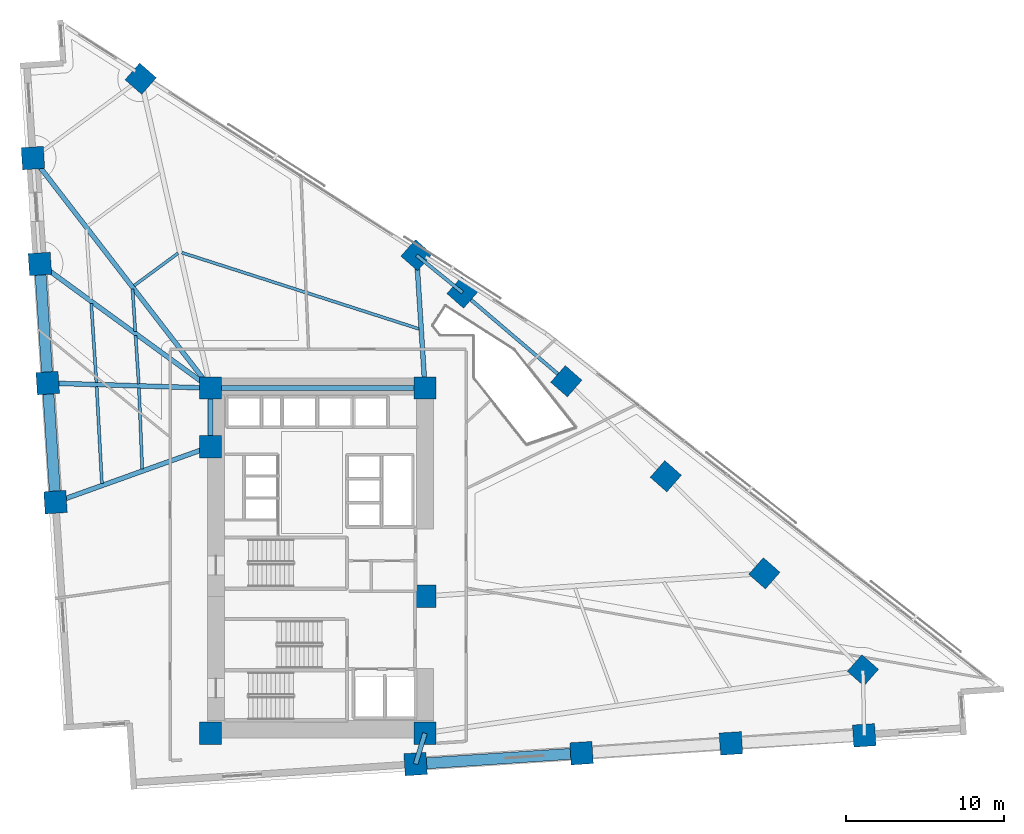
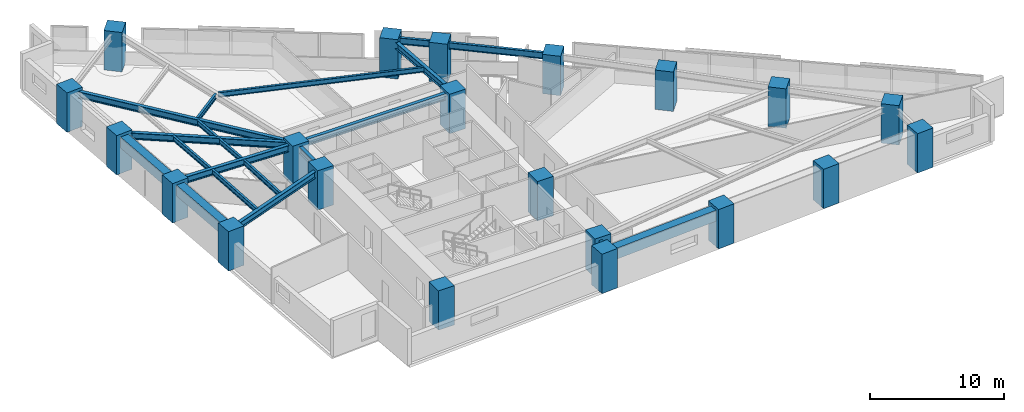
# One storey, part 1 of 15: 21 columns, 20 beams.
"""IFC4 building model written with IfcOpenShell, lengths in metres."""

from ifc_helpers import new_model, si_unit, direction, frame, origin, origin_2d, place, context, subcontext, project, spatial, rectangle, i_section, extrude, material, material_profile, profile_set, type_object, element, save


model = new_model("IFC4")

# Units and contexts
model_context = context("Model", 3, precision=1e-05, world=origin(), true_north=direction((0.0, 1.0)))
body_context = subcontext(model_context, "Body", "Model", "MODEL_VIEW")
ifc_project = project(units=[si_unit("LENGTHUNIT", "METRE"), si_unit("AREAUNIT", "SQUARE_METRE"), si_unit("VOLUMEUNIT", "CUBIC_METRE"), si_unit("PLANEANGLEUNIT", "RADIAN"), si_unit("MASSUNIT", "GRAM", prefix="KILO")], contexts=[model_context])

# Site, building, storey
site_placement = place(None, origin())
site = spatial("IfcSite", under=ifc_project, at=site_placement, CompositionType="ELEMENT")
building_placement = place(site_placement, origin())
building = spatial("IfcBuilding", under=site, at=building_placement, Name="Narakoshi Arena Tower", CompositionType="ELEMENT")
storey_placement = place(building_placement, frame((0.0, 0.0, 74.10009765625)))
storey = spatial("IfcBuildingStorey", under=building, at=storey_placement, Name="L19", CompositionType="ELEMENT", Elevation=74.10009765625)

# Columns
ifc_material_1 = material(Name="Concrete C60/75", Category="concrete")
ifc_material_profile_1 = material_profile(ifc_material_1, rectangle(XDim=1.39990234375, YDim=1.39990234375, at=origin_2d()), Name="RC1400x1400")
ifc_profile_set_1 = profile_set([ifc_material_profile_1], Name="Concrete C60/75")
column_type = type_object("IfcColumnType", Name="COL-RC1400", PredefinedType="COLUMN", material=ifc_profile_set_1)
for number, where, z_axis, x_axis, name in (
    (1, (72.0, 34.699951171875, 0.0), (0.0, 0.0, 1.0), (1.0, 0.0, 0.0), "L19 Core Structural Column CC1"),
    (2, (85.550048828125, 34.699951171875, 0.0), (0.0, 0.0, 1.0), (1.0, 0.0, 0.0), "L19 Core Structural Column CC2"),
    (3, (85.550048828125, 43.35009765625, 0.0), (0.0, 0.0, 1.0), (1.0, 0.0, 0.0), "L19 Core Structural Column CC3"),
    (4, (72.0, 52.800048828125, 0.0), (0.0, 0.0, 1.0), (1.0, 0.0, 0.0), "L19 Core Structural Column CC4"),
    (5, (72.0, 56.5, 0.0), (0.0, 0.0, 1.0), (1.0, 0.0, 0.0), "L19 Core Structural Column CC5"),
    (6, (85.550048828125, 56.5, 0.0), (0.0, 0.0, 1.0), (1.0, 0.0, 0.0), "L19 Core Structural Column CC6"),
    (7, (84.95703125, 32.7509765625, 0.0), (0.0, 0.0, 1.0), (0.997858923239, 0.06540312923, 0.0), "L19 Tower Perimeter Column TC01"),
    (8, (95.44189453125, 33.43798828125, 0.0), (0.0, 0.0, 1.0), (0.997858923239, 0.06540312923, 0.0), "L19 Tower Perimeter Column TC02"),
    (9, (104.8779296875, 34.056640625, 0.0), (0.0, 0.0, 1.0), (0.997858923239, 0.06540312923, 0.0), "L19 Tower Perimeter Column TC03"),
    (10, (113.299560546875, 34.5634765625, 0.0), (0.0, 0.0, 1.0), (0.997858923239, 0.06540312923, 0.0), "L19 Tower Perimeter Column TC04"),
    (11, (113.21630859375, 38.669189453125, 0.0), (0.0, 0.0, 1.0), (0.6593458151, 0.751839807479, 0.0), "L19 Tower Perimeter Column TC05"),
    (12, (106.989990234375, 44.800537109375, 0.0), (0.0, 0.0, 1.0), (0.6593458151, 0.751839807479, 0.0), "L19 Tower Perimeter Column TC06"),
    (13, (100.76318359375, 50.931640625, 0.0), (0.0, 0.0, 1.0), (0.6593458151, 0.751839807479, 0.0), "L19 Tower Perimeter Column TC07"),
    (14, (94.47900390625, 56.934814453125, 0.0), (0.0, 0.0, 1.0), (0.6593458151, 0.751839807479, 0.0), "L19 Tower Perimeter Column TC08"),
    (15, (87.922607421875, 62.534423828125, 0.0), (0.0, 0.0, 1.0), (0.6593458151, 0.751839807479, 0.0), "L19 Tower Perimeter Column TC09"),
    (16, (85.0146484375, 64.89794921875, 0.0), (0.0, 0.0, 1.0), (0.6593458151, 0.751839807479, 0.0), "L19 Tower Perimeter Column TC10"),
    (17, (67.58984375, 76.04345703125, 0.0), (0.0, 0.0, 1.0), (0.6593458151, 0.751839807479, 0.0), "L19 Tower Perimeter Column TC11"),
    (18, (60.785400390625, 71.031005859375, 0.0), (0.0, 0.0, 1.0), (-0.06540312923, 0.997858923239, 0.0), "L19 Tower Perimeter Column TC13"),
    (19, (61.223876953125, 64.343017578125, 0.0), (0.0, 0.0, 1.0), (-0.06540312923, 0.997858923239, 0.0), "L19 Tower Perimeter Column TC14"),
    (20, (61.716796875, 56.819091796875, 0.0), (0.0, 0.0, 1.0), (-0.06540312923, 0.997858923239, 0.0), "L19 Tower Perimeter Column TC15"),
    (21, (62.210205078125, 49.294921875, 0.0), (0.0, 0.0, 1.0), (-0.06540312923, 0.997858923239, 0.0), "L19 Tower Perimeter Column TC16"),
):
    element("IfcColumn", number, at=place(storey_placement, frame(where, z_axis=z_axis, x_axis=x_axis)), inside=storey, type_object=column_type, Name=name, PredefinedType="COLUMN", context=body_context, shape_type="SweptSolid", body=[
        extrude(rectangle(XDim=1.39990234375, YDim=1.39990234375, at=origin_2d()), origin(), (0.0, 0.0, 1.0), 3.599853515625),
    ])

# Beams
ifc_material_profile_2 = material_profile(ifc_material_1, rectangle(XDim=0.699951171875, YDim=1.0, at=origin_2d()), Name="RCB700x1000")
ifc_profile_set_2 = profile_set([ifc_material_profile_2], Name="Concrete C60/75")
beam_type_1 = type_object("IfcBeamType", Name="BM-CPL-1000", PredefinedType="BEAM", material=ifc_profile_set_2)
beam_1_placement = place(storey_placement, frame((84.95703125, 32.7509765625, 2.83984375), z_axis=(0.997860180992, 0.065383936788, 0.0), x_axis=(-0.065383936788, 0.997860180992, 0.0)))
element("IfcBeam", 22, at=beam_1_placement, inside=storey, type_object=beam_type_1, Name="L19 Perimeter Edge Girder 01", PredefinedType="BEAM", context=body_context, shape_type="SweptSolid", body=[
    extrude(rectangle(XDim=0.699951171875, YDim=1.0, at=origin_2d()), origin(), (0.0, 0.0, 1.0), 10.50732421875),
])
beam_2_placement = place(storey_placement, frame((61.223876953125, 64.343017578125, 2.83984375), z_axis=(0.065373518191, -0.997860863607, 0.0), x_axis=(0.997860863607, 0.065373518191, 0.0)))
element("IfcBeam", 23, at=beam_2_placement, inside=storey, type_object=beam_type_1, Name="L19 Perimeter Edge Girder 13", PredefinedType="BEAM", context=body_context, shape_type="SweptSolid", body=[
    extrude(rectangle(XDim=0.699951171875, YDim=1.0, at=origin_2d()), origin(), (0.0, 0.0, 1.0), 7.5400390625),
])
beam_3_placement = place(storey_placement, frame((61.716796875, 56.819091796875, 2.83984375), z_axis=(0.06543588513, -0.997856775764, 0.0), x_axis=(0.997856775764, 0.06543588513, 0.0)))
element("IfcBeam", 24, at=beam_3_placement, inside=storey, type_object=beam_type_1, Name="L19 Perimeter Edge Girder 14", PredefinedType="BEAM", context=body_context, shape_type="SweptSolid", body=[
    extrude(rectangle(XDim=0.699951171875, YDim=1.0, at=origin_2d()), origin(), (0.0, 0.0, 1.0), 7.540283203125),
])
ifc_material_2 = material(Name="Structural steel S355J2", Category="steel")
ifc_material_profile_3 = material_profile(ifc_material_2, i_section(OverallWidth=0.219970703125, OverallDepth=0.60009765625, WebThickness=0.011962890625, FlangeThickness=0.01904296875, FilletRadius=0.02392578125, at=origin_2d()), Name="IPE600")
ifc_profile_set_3 = profile_set([ifc_material_profile_3], Name="Structural steel S355J2")
beam_type_2 = type_object("IfcBeamType", Name="BM-EDGE-600", PredefinedType="BEAM", material=ifc_profile_set_3)
beam_4_placement = place(storey_placement, frame((94.47900390625, 56.934814453125, 3.039794921875), z_axis=(-0.760410675305, 0.649442533934, 0.0), x_axis=(-0.649442533934, -0.760410675305, 0.0)))
element("IfcBeam", 25, at=beam_4_placement, inside=storey, type_object=beam_type_2, Name="L19 Perimeter Edge Girder 08", PredefinedType="BEAM", context=body_context, shape_type="SweptSolid", body=[
    extrude(i_section(OverallWidth=0.219970703125, OverallDepth=0.60009765625, WebThickness=0.011962890625, FlangeThickness=0.01904296875, FilletRadius=0.02392578125, at=origin_2d()), origin(), (0.0, 0.0, 1.0), 8.6220703125),
])
beam_5_placement = place(storey_placement, frame((87.922607421875, 62.534423828125, 3.039794921875), z_axis=(-0.776008368668, 0.630722610786, 0.0), x_axis=(-0.630722610786, -0.776008368668, 0.0)))
element("IfcBeam", 26, at=beam_5_placement, inside=storey, type_object=beam_type_2, Name="L19 Perimeter Edge Girder 09", PredefinedType="BEAM", context=body_context, shape_type="SweptSolid", body=[
    extrude(i_section(OverallWidth=0.219970703125, OverallDepth=0.60009765625, WebThickness=0.011962890625, FlangeThickness=0.01904296875, FilletRadius=0.02392578125, at=origin_2d()), origin(), (0.0, 0.0, 1.0), 3.747314453125),
])
ifc_material_profile_4 = material_profile(ifc_material_2, i_section(OverallWidth=0.300048828125, OverallDepth=0.60009765625, WebThickness=0.015380859375, FlangeThickness=0.030029296875, FilletRadius=0.027099609375, at=origin_2d()), Name="HE600B")
ifc_profile_set_4 = profile_set([ifc_material_profile_4], Name="Structural steel S355J2")
beam_type_3 = type_object("IfcBeamType", Name="BM-PRI-600", PredefinedType="BEAM", material=ifc_profile_set_4)
beam_6_placement = place(storey_placement, frame((85.550048828125, 34.699951171875, 3.039794921875), z_axis=(-0.291094852197, -0.956694197236, 0.0), x_axis=(0.956694197236, -0.291094852197, 0.0)))
element("IfcBeam", 27, at=beam_6_placement, inside=storey, type_object=beam_type_3, Name="L19 Radial Primary Floor Girder 01", PredefinedType="BEAM", context=body_context, shape_type="SweptSolid", body=[
    extrude(i_section(OverallWidth=0.300048828125, OverallDepth=0.60009765625, WebThickness=0.015380859375, FlangeThickness=0.030029296875, FilletRadius=0.027099609375, at=origin_2d()), origin(), (0.0, 0.0, 1.0), 2.037109375),
])
beam_7_placement = place(storey_placement, frame((85.550048828125, 56.5, 3.039794921875), z_axis=(-0.063624535653, 0.997973906704, 0.0), x_axis=(-0.997973906704, -0.063624535653, 0.0)))
element("IfcBeam", 28, at=beam_7_placement, inside=storey, type_object=beam_type_3, Name="L19 Radial Primary Floor Girder 10", PredefinedType="BEAM", context=body_context, shape_type="SweptSolid", body=[
    extrude(i_section(OverallWidth=0.300048828125, OverallDepth=0.60009765625, WebThickness=0.015380859375, FlangeThickness=0.030029296875, FilletRadius=0.027099609375, at=origin_2d()), origin(), (0.0, 0.0, 1.0), 8.4150390625),
])
beam_8_placement = place(storey_placement, frame((72.0, 56.5, 3.039794921875), z_axis=(-0.610973069948, 0.791651380216, 0.0), x_axis=(-0.791651380216, -0.610973069948, 0.0)))
element("IfcBeam", 29, at=beam_8_placement, inside=storey, type_object=beam_type_3, Name="L19 Radial Primary Floor Girder 12", PredefinedType="BEAM", context=body_context, shape_type="SweptSolid", body=[
    extrude(i_section(OverallWidth=0.300048828125, OverallDepth=0.60009765625, WebThickness=0.015380859375, FlangeThickness=0.030029296875, FilletRadius=0.027099609375, at=origin_2d()), origin(), (0.0, 0.0, 1.0), 18.355224609375),
])
beam_9_placement = place(storey_placement, frame((72.0, 56.5, 3.039794921875), z_axis=(-0.808527706159, 0.588458110976, 0.0), x_axis=(-0.588458110976, -0.808527706159, 0.0)))
element("IfcBeam", 30, at=beam_9_placement, inside=storey, type_object=beam_type_3, Name="L19 Radial Primary Floor Girder 13", PredefinedType="BEAM", context=body_context, shape_type="SweptSolid", body=[
    extrude(i_section(OverallWidth=0.300048828125, OverallDepth=0.60009765625, WebThickness=0.015380859375, FlangeThickness=0.030029296875, FilletRadius=0.027099609375, at=origin_2d()), origin(), (0.0, 0.0, 1.0), 13.328125),
])
beam_10_placement = place(storey_placement, frame((72.0, 56.5, 3.039794921875), z_axis=(-0.99951890487, 0.031015460795, 0.0), x_axis=(-0.031015460795, -0.99951890487, 0.0)))
element("IfcBeam", 31, at=beam_10_placement, inside=storey, type_object=beam_type_3, Name="L19 Radial Primary Floor Girder 14", PredefinedType="BEAM", context=body_context, shape_type="SweptSolid", body=[
    extrude(i_section(OverallWidth=0.300048828125, OverallDepth=0.60009765625, WebThickness=0.015380859375, FlangeThickness=0.030029296875, FilletRadius=0.027099609375, at=origin_2d()), origin(), (0.0, 0.0, 1.0), 10.2880859375),
])
beam_11_placement = place(storey_placement, frame((72.0, 52.800048828125, 3.039794921875), z_axis=(-0.941474424124, -0.33708442373, 0.0), x_axis=(0.33708442373, -0.941474424124, 0.0)))
element("IfcBeam", 32, at=beam_11_placement, inside=storey, type_object=beam_type_3, Name="L19 Radial Primary Floor Girder 15", PredefinedType="BEAM", context=body_context, shape_type="SweptSolid", body=[
    extrude(i_section(OverallWidth=0.300048828125, OverallDepth=0.60009765625, WebThickness=0.015380859375, FlangeThickness=0.030029296875, FilletRadius=0.027099609375, at=origin_2d()), origin(), (0.0, 0.0, 1.0), 10.3984375),
])
beam_12_placement = place(storey_placement, frame((72.0, 52.800048828125, 3.039794921875), z_axis=(0.0, 1.0, 0.0), x_axis=(-1.0, 0.0, 0.0)))
element("IfcBeam", 33, at=beam_12_placement, inside=storey, type_object=beam_type_3, Name="L19 Core Perimeter Frame Beam CC4-CC5", PredefinedType="BEAM", context=body_context, shape_type="SweptSolid", body=[
    extrude(i_section(OverallWidth=0.300048828125, OverallDepth=0.60009765625, WebThickness=0.015380859375, FlangeThickness=0.030029296875, FilletRadius=0.027099609375, at=origin_2d()), origin(), (0.0, 0.0, 1.0), 3.699951171875),
])
beam_13_placement = place(storey_placement, frame((72.0, 56.5, 3.039794921875), z_axis=(1.0, 0.0, 0.0), x_axis=(0.0, 1.0, 0.0)))
element("IfcBeam", 34, at=beam_13_placement, inside=storey, type_object=beam_type_3, Name="L19 Core Perimeter Frame Beam CC5-CC6", PredefinedType="BEAM", context=body_context, shape_type="SweptSolid", body=[
    extrude(i_section(OverallWidth=0.300048828125, OverallDepth=0.60009765625, WebThickness=0.015380859375, FlangeThickness=0.030029296875, FilletRadius=0.027099609375, at=origin_2d()), origin(), (0.0, 0.0, 1.0), 13.550048828125),
])
ifc_material_profile_5 = material_profile(ifc_material_2, i_section(OverallWidth=0.18994140625, OverallDepth=0.449951171875, WebThickness=0.009521484375, FlangeThickness=0.0146484375, FilletRadius=0.02099609375, at=origin_2d()), Name="IPE450")
ifc_profile_set_5 = profile_set([ifc_material_profile_5], Name="Structural steel S355J2")
beam_type_4 = type_object("IfcBeamType", Name="BM-SEC-450", PredefinedType="JOIST", material=ifc_profile_set_5)
beam_14_placement = place(storey_placement, frame((85.185791015625, 60.236328125, 3.114990234375), z_axis=(-0.952013564506, 0.306055833137, 0.0), x_axis=(-0.306055833137, -0.952013564506, 0.0)))
element("IfcBeam", 35, at=beam_14_placement, inside=storey, type_object=beam_type_4, Name="L19 Composite Secondary Floor Joist 03", PredefinedType="JOIST", context=body_context, shape_type="SweptSolid", body=[
    extrude(i_section(OverallWidth=0.18994140625, OverallDepth=0.449951171875, WebThickness=0.009521484375, FlangeThickness=0.0146484375, FilletRadius=0.02099609375, at=origin_2d()), origin(), (0.0, 0.0, 1.0), 15.753662109375),
])
beam_15_placement = place(storey_placement, frame((69.950927734375, 65.01904296875, 3.114990234375), z_axis=(-0.805127005692, -0.593102440314, 0.0), x_axis=(0.593102440314, -0.805127005692, 0.0)))
element("IfcBeam", 36, at=beam_15_placement, inside=storey, type_object=beam_type_4, Name="L19 Composite Secondary Floor Joist 04", PredefinedType="JOIST", context=body_context, shape_type="SweptSolid", body=[
    extrude(i_section(OverallWidth=0.18994140625, OverallDepth=0.449951171875, WebThickness=0.009521484375, FlangeThickness=0.0146484375, FilletRadius=0.02099609375, at=origin_2d()), origin(), (0.0, 0.0, 1.0), 3.44873046875),
])
beam_16_placement = place(storey_placement, frame((67.074462890625, 62.7587890625, 3.114990234375), z_axis=(0.065345470492, -0.997862700719, 0.0), x_axis=(0.997862700719, 0.065345470492, 0.0)))
element("IfcBeam", 37, at=beam_16_placement, inside=storey, type_object=beam_type_4, Name="L19 Composite Secondary Floor Joist 06", PredefinedType="JOIST", context=body_context, shape_type="SweptSolid", body=[
    extrude(i_section(OverallWidth=0.18994140625, OverallDepth=0.449951171875, WebThickness=0.009521484375, FlangeThickness=0.0146484375, FilletRadius=0.02099609375, at=origin_2d()), origin(), (0.0, 0.0, 1.0), 2.6787109375),
])
beam_17_placement = place(storey_placement, frame((67.267333984375, 59.816162109375, 3.114990234375), z_axis=(0.065370474263, -0.997861063022, 0.0), x_axis=(0.997861063022, 0.065370474263, 0.0)))
element("IfcBeam", 38, at=beam_17_placement, inside=storey, type_object=beam_type_4, Name="L19 Composite Secondary Floor Joist 08", PredefinedType="JOIST", context=body_context, shape_type="SweptSolid", body=[
    extrude(i_section(OverallWidth=0.18994140625, OverallDepth=0.449951171875, WebThickness=0.009521484375, FlangeThickness=0.0146484375, FilletRadius=0.02099609375, at=origin_2d()), origin(), (0.0, 0.0, 1.0), 3.047607421875),
])
beam_18_placement = place(storey_placement, frame((64.465576171875, 61.85546875, 3.114990234375), z_axis=(0.065370380739, -0.997861069148, 0.0), x_axis=(0.997861069148, 0.065370380739, 0.0)))
element("IfcBeam", 39, at=beam_18_placement, inside=storey, type_object=beam_type_4, Name="L19 Composite Secondary Floor Joist 09", PredefinedType="JOIST", context=body_context, shape_type="SweptSolid", body=[
    extrude(i_section(OverallWidth=0.18994140625, OverallDepth=0.449951171875, WebThickness=0.009521484375, FlangeThickness=0.0146484375, FilletRadius=0.02099609375, at=origin_2d()), origin(), (0.0, 0.0, 1.0), 5.00830078125),
])
beam_19_placement = place(storey_placement, frame((67.48095703125, 56.505615234375, 3.114990234375), z_axis=(0.04026717626, -0.999188948356, 0.0), x_axis=(0.999188948356, 0.04026717626, 0.0)))
element("IfcBeam", 40, at=beam_19_placement, inside=storey, type_object=beam_type_4, Name="L19 Composite Secondary Floor Joist 10", PredefinedType="JOIST", context=body_context, shape_type="SweptSolid", body=[
    extrude(i_section(OverallWidth=0.18994140625, OverallDepth=0.449951171875, WebThickness=0.009521484375, FlangeThickness=0.0146484375, FilletRadius=0.02099609375, at=origin_2d()), origin(), (0.0, 0.0, 1.0), 5.1171875),
])
beam_20_placement = place(storey_placement, frame((64.80908203125, 56.58837890625, 3.114990234375), z_axis=(0.05408820703, -0.998536161519, 0.0), x_axis=(0.998536161519, 0.05408820703, 0.0)))
element("IfcBeam", 41, at=beam_20_placement, inside=storey, type_object=beam_type_4, Name="L19 Composite Secondary Floor Joist 11", PredefinedType="JOIST", context=body_context, shape_type="SweptSolid", body=[
    extrude(i_section(OverallWidth=0.18994140625, OverallDepth=0.449951171875, WebThickness=0.009521484375, FlangeThickness=0.0146484375, FilletRadius=0.02099609375, at=origin_2d()), origin(), (0.0, 0.0, 1.0), 6.1162109375),
])

save(model, "model.ifc")
